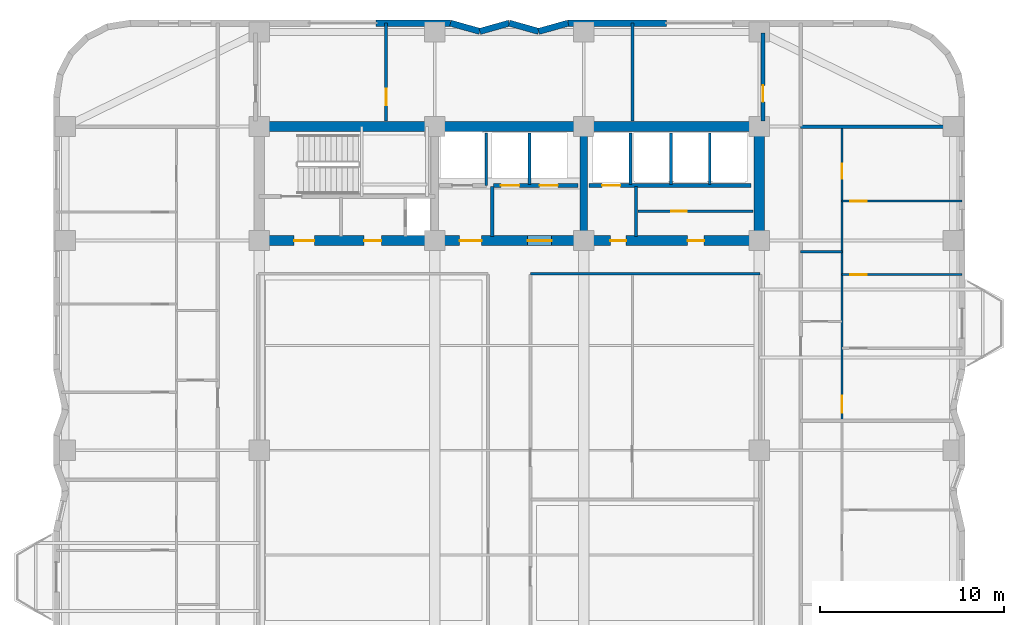
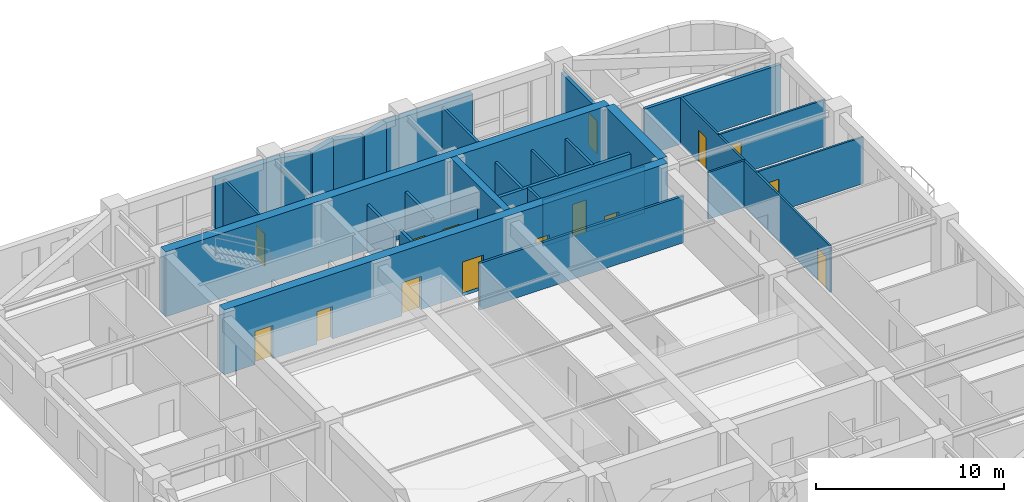
# One storey, part 11 of 15: 29 walls, 16 doors, 16 openings.
"""IFC4 building model written with IfcOpenShell, lengths in metres."""

from ifc_helpers import new_model, si_unit, direction, frame, frame_2d, origin, place, context, subcontext, project, spatial, rectangle, extrude, material, layer, layer_set, type_object, element, fill, save


model = new_model("IFC4")

# Units and contexts
model_context = context("Model", 3, precision=1e-05, world=origin(), true_north=direction((0.0, 1.0)))
body_context = subcontext(model_context, "Body", "Model", "MODEL_VIEW")
ifc_project = project(units=[si_unit("LENGTHUNIT", "METRE"), si_unit("AREAUNIT", "SQUARE_METRE"), si_unit("VOLUMEUNIT", "CUBIC_METRE"), si_unit("PLANEANGLEUNIT", "RADIAN"), si_unit("MASSUNIT", "GRAM", prefix="KILO")], contexts=[model_context])

# Site, building, storey
site_placement = place(None, origin())
site = spatial("IfcSite", under=ifc_project, at=site_placement, CompositionType="ELEMENT")
building_placement = place(site_placement, origin())
building = spatial("IfcBuilding", under=site, at=building_placement, Name="Svetorya Sky Lyceum", CompositionType="ELEMENT")
storey_placement = place(building_placement, frame((0.0, 0.0, 84.10009765625)))
storey = spatial("IfcBuildingStorey", under=building, at=storey_placement, Name="L20", CompositionType="ELEMENT", Elevation=84.10009765625)

# Walls
ifc_material_1 = material(Name="Concrete C40/50", Category="concrete")
ifc_layer_1 = layer(ifc_material_1, 0.39990234375)
ifc_layer_set_1 = layer_set([ifc_layer_1], Name="Concrete C40/50")
wall_type_1 = type_object("IfcWallType", Name="WL-CORE-400", PredefinedType="SHEAR", material=ifc_layer_set_1)
wall_1_placement = place(storey_placement, frame((43.25, 39.875, 0.0), z_axis=(0.0, 0.0, 1.0), x_axis=(0.0, 1.0, 0.0)))
element("IfcWall", 1, at=wall_1_placement, inside=storey, type_object=wall_type_1, Name="L20 NC Internal Shear Web WEB2", PredefinedType="SHEAR", context=body_context, shape_type="SweptSolid", body=[
    extrude(rectangle(XDim=5.64990234375, YDim=0.39990234375, at=frame_2d((2.824951171875, 0.0))), origin(), (0.0, 0.0, 1.0), 4.199951171875),
])
ifc_material_2 = material(Name="Concrete C60/75", Category="concrete")
ifc_layer_2 = layer(ifc_material_2, 0.550048828125)
ifc_layer_set_2 = layer_set([ifc_layer_2], Name="Concrete C60/75")
wall_type_2 = type_object("IfcWallType", Name="WL-CORE-550", PredefinedType="SHEAR", material=ifc_layer_set_2)
wall_2_placement = place(storey_placement, frame((25.60009765625, 45.800048828125, 0.0), z_axis=(0.0, 0.0, 1.0), x_axis=(1.0, 0.0, 0.0)))
element("IfcWall", 2, at=wall_2_placement, inside=storey, type_object=wall_type_2, Name="L20 NC Outer Core Shear Wall", PredefinedType="SHEAR", context=body_context, shape_type="SweptSolid", body=[
    extrude(rectangle(XDim=27.199951171875, YDim=0.550048828125, at=frame_2d((13.60009765625, 0.0))), origin(), (0.0, 0.0, 1.0), 4.199951171875),
])
wall_3_placement = place(storey_placement, frame((52.800048828125, 39.875, 0.0), z_axis=(0.0, 0.0, 1.0), x_axis=(0.0, 1.0, 0.0)))
element("IfcWall", 3, at=wall_3_placement, inside=storey, type_object=wall_type_2, Name="L20 NC East Core Shear Wall", PredefinedType="SHEAR", context=body_context, shape_type="SweptSolid", body=[
    extrude(rectangle(XDim=5.64990234375, YDim=0.550048828125, at=frame_2d((2.824951171875, 0.0))), origin(), (0.0, 0.0, 1.0), 4.199951171875),
])

# Wall, openings, doors
wall_4_placement = place(storey_placement, frame((52.800048828125, 39.60009765625, 0.0), z_axis=(0.0, 0.0, 1.0), x_axis=(-1.0, 0.0, 0.0)))
wall_4 = element("IfcWall", 4, at=wall_4_placement, inside=storey, type_object=wall_type_2, Name="L20 NC Inner Core Shear Wall", PredefinedType="SHEAR", context=body_context, shape_type="SweptSolid", body=[
    extrude(rectangle(XDim=27.199951171875, YDim=0.550048828125, at=frame_2d((13.60009765625, 0.0))), origin(), (0.0, 0.0, 1.0), 4.199951171875),
])
opening_1_placement = place(wall_4_placement, frame((24.199951171875, 0.0, 0.0)))
opening_1 = element("IfcOpeningElement", 5, at=opening_1_placement, cuts=wall_4, Name="Opening D-ST1", PredefinedType="OPENING", context=body_context, shape_type="SweptSolid", body=[
    extrude(rectangle(XDim=1.10009765625, YDim=2.14990234375, at=frame_2d((0.550048828125, 1.074951171875))), frame((0.0, 0.284912109375, 0.0), z_axis=(0.0, -1.0, 0.0), x_axis=(1.0, 0.0, 0.0)), (0.0, 0.0, 1.0), 0.570068359375),
])
opening_2_placement = place(wall_4_placement, frame((20.550048828125, 0.0, 0.0)))
opening_2 = element("IfcOpeningElement", 6, at=opening_2_placement, cuts=wall_4, Name="Opening D-CAC1", PredefinedType="OPENING", context=body_context, shape_type="SweptSolid", body=[
    extrude(rectangle(XDim=0.949951171875, YDim=2.10009765625, at=frame_2d((0.47509765625, 1.050048828125))), frame((0.0, 0.284912109375, 0.0), z_axis=(0.0, -1.0, 0.0), x_axis=(1.0, 0.0, 0.0)), (0.0, 0.0, 1.0), 0.570068359375),
])
opening_3_placement = place(wall_4_placement, frame((15.10009765625, 0.0, 0.0)))
opening_3 = element("IfcOpeningElement", 7, at=opening_3_placement, cuts=wall_4, Name="Opening D-FL1", PredefinedType="OPENING", context=body_context, shape_type="SweptSolid", body=[
    extrude(rectangle(XDim=1.199951171875, YDim=2.14990234375, at=frame_2d((0.60009765625, 1.074951171875))), frame((0.0, 0.284912109375, 0.0), z_axis=(0.0, -1.0, 0.0), x_axis=(1.0, 0.0, 0.0)), (0.0, 0.0, 1.0), 0.570068359375),
])
opening_4_placement = place(wall_4_placement, frame((11.300048828125, 0.0, 0.0)))
opening_4 = element("IfcOpeningElement", 8, at=opening_4_placement, cuts=wall_4, Name="Opening D-LB1", PredefinedType="OPENING", context=body_context, shape_type="SweptSolid", body=[
    extrude(rectangle(XDim=1.300048828125, YDim=2.199951171875, at=frame_2d((0.64990234375, 1.10009765625))), frame((0.0, 0.284912109375, 0.0), z_axis=(0.0, -1.0, 0.0), x_axis=(1.0, 0.0, 0.0)), (0.0, 0.0, 1.0), 0.570068359375),
])
opening_5_placement = place(wall_4_placement, frame((7.25, 0.0, 0.0)))
opening_5 = element("IfcOpeningElement", 9, at=opening_5_placement, cuts=wall_4, Name="Opening D-CWC1", PredefinedType="OPENING", context=body_context, shape_type="SweptSolid", body=[
    extrude(rectangle(XDim=0.85009765625, YDim=2.10009765625, at=frame_2d((0.425048828125, 1.050048828125))), frame((0.0, 0.284912109375, 0.0), z_axis=(0.0, -1.0, 0.0), x_axis=(1.0, 0.0, 0.0)), (0.0, 0.0, 1.0), 0.570068359375),
])
opening_6_placement = place(wall_4_placement, frame((3.0, 0.0, 0.0)))
opening_6 = element("IfcOpeningElement", 10, at=opening_6_placement, cuts=wall_4, Name="Opening D-RM1", PredefinedType="OPENING", context=body_context, shape_type="SweptSolid", body=[
    extrude(rectangle(XDim=0.89990234375, YDim=2.10009765625, at=frame_2d((0.449951171875, 1.050048828125))), frame((0.0, 0.284912109375, 0.0), z_axis=(0.0, -1.0, 0.0), x_axis=(1.0, 0.0, 0.0)), (0.0, 0.0, 1.0), 0.570068359375),
])
ifc_material_3 = material(Name="Fire-rated galvanized steel core accessible WC door", Category="steel")
door_type_1 = type_object("IfcDoorType", Name="DR-CACC-950", OperationType="SINGLE_SWING_LEFT", PredefinedType="DOOR", material=ifc_material_3)
door_1_placement = place(opening_2_placement, origin())
door_1 = element("IfcDoor", 11, at=door_1_placement, inside=storey, type_object=door_type_1, Name="L20 North Core Accessible WC Door", OperationType="SINGLE_SWING_RIGHT", OverallHeight=2.10009765625, OverallWidth=0.949951171875, PredefinedType="DOOR", context=body_context, shape_type="SweptSolid", body=[
    extrude(rectangle(XDim=0.949951171875, YDim=2.10009765625, at=frame_2d((0.47509765625, 1.050048828125))), frame((0.0, 0.02490234375, 0.0), z_axis=(0.0, -1.0, 0.0), x_axis=(1.0, 0.0, 0.0)), (0.0, 0.0, 1.0), 0.050048828125),
])
fill(opening_2, door_1)
ifc_material_4 = material(Name="Fire-rated galvanized steel core service closet door", Category="steel")
door_type_2 = type_object("IfcDoorType", Name="DR-CWET-850", OperationType="SINGLE_SWING_LEFT", PredefinedType="DOOR", material=ifc_material_4)
door_2_placement = place(opening_5_placement, origin())
door_2 = element("IfcDoor", 12, at=door_2_placement, inside=storey, type_object=door_type_2, Name="L20 Mid-Rise Lift PM3 Lobby Door", OperationType="SINGLE_SWING_LEFT", OverallHeight=2.10009765625, OverallWidth=0.85009765625, PredefinedType="DOOR", context=body_context, shape_type="SweptSolid", body=[
    extrude(rectangle(XDim=0.85009765625, YDim=2.10009765625, at=frame_2d((0.425048828125, 1.050048828125))), frame((0.0, 0.02490234375, 0.0), z_axis=(0.0, -1.0, 0.0), x_axis=(1.0, 0.0, 0.0)), (0.0, 0.0, 1.0), 0.050048828125),
])
fill(opening_5, door_2)
ifc_material_5 = material(Name="Powder-coated insulated galvanized stair fire door")
door_type_3 = type_object("IfcDoorType", Name="DR-FIRE-1100", OperationType="SINGLE_SWING_LEFT", PredefinedType="DOOR", material=ifc_material_5)
door_3_placement = place(opening_1_placement, origin())
door_3 = element("IfcDoor", 13, at=door_3_placement, inside=storey, type_object=door_type_3, Name="L20 North Stair Airlock Door", OperationType="SINGLE_SWING_LEFT", OverallHeight=2.14990234375, OverallWidth=1.10009765625, PredefinedType="DOOR", context=body_context, shape_type="SweptSolid", body=[
    extrude(rectangle(XDim=1.10009765625, YDim=2.14990234375, at=frame_2d((0.550048828125, 1.074951171875))), frame((0.0, 0.02490234375, 0.0), z_axis=(0.0, -1.0, 0.0), x_axis=(1.0, 0.0, 0.0)), (0.0, 0.0, 1.0), 0.050048828125),
])
fill(opening_1, door_3)
ifc_material_6 = material(Name="Powder-coated insulated galvanized fire door")
door_type_4 = type_object("IfcDoorType", Name="DR-FIRE-1200", OperationType="SINGLE_SWING_LEFT", PredefinedType="DOOR", material=ifc_material_6)
door_4_placement = place(opening_3_placement, origin())
door_4 = element("IfcDoor", 14, at=door_4_placement, inside=storey, type_object=door_type_4, Name="L20 North Firefighting Lift Lobby Door", OperationType="SINGLE_SWING_RIGHT", OverallHeight=2.14990234375, OverallWidth=1.199951171875, PredefinedType="DOOR", context=body_context, shape_type="SweptSolid", body=[
    extrude(rectangle(XDim=1.199951171875, YDim=2.14990234375, at=frame_2d((0.60009765625, 1.074951171875))), frame((0.0, 0.02490234375, 0.0), z_axis=(0.0, -1.0, 0.0), x_axis=(1.0, 0.0, 0.0)), (0.0, 0.0, 1.0), 0.050048828125),
])
fill(opening_3, door_4)
ifc_material_7 = material(Name="Lacquered birch veneer internal door")
door_type_5 = type_object("IfcDoorType", Name="DR-INT-900", OperationType="SINGLE_SWING_LEFT", PredefinedType="DOOR", material=ifc_material_7)
door_5_placement = place(opening_6_placement, origin())
door_5 = element("IfcDoor", 15, at=door_5_placement, inside=storey, type_object=door_type_5, Name="L20 Mid-Rise Pantry Door", OperationType="SINGLE_SWING_LEFT", OverallHeight=2.10009765625, OverallWidth=0.89990234375, PredefinedType="DOOR", context=body_context, shape_type="SweptSolid", body=[
    extrude(rectangle(XDim=0.89990234375, YDim=2.10009765625, at=frame_2d((0.449951171875, 1.050048828125))), frame((0.0, 0.02490234375, 0.0), z_axis=(0.0, -1.0, 0.0), x_axis=(1.0, 0.0, 0.0)), (0.0, 0.0, 1.0), 0.050048828125),
])
fill(opening_6, door_5)
ifc_material_8 = material(Name="Glazed fire-rated aluminium lobby door", Category="aluminium")
door_type_6 = type_object("IfcDoorType", Name="DR-LOB-1300", OperationType="SINGLE_SWING_LEFT", PredefinedType="DOOR", material=ifc_material_8)
door_6_placement = place(opening_4_placement, origin())
door_6 = element("IfcDoor", 16, at=door_6_placement, inside=storey, type_object=door_type_6, Name="L20 Mid-Rise Lift Lobby West Door", OperationType="SINGLE_SWING_LEFT", OverallHeight=2.199951171875, OverallWidth=1.300048828125, PredefinedType="DOOR", context=body_context, shape_type="SweptSolid", body=[
    extrude(rectangle(XDim=1.300048828125, YDim=2.199951171875, at=frame_2d((0.64990234375, 1.10009765625))), frame((0.0, 0.02490234375, 0.0), z_axis=(0.0, -1.0, 0.0), x_axis=(1.0, 0.0, 0.0)), (0.0, 0.0, 1.0), 0.050048828125),
])
fill(opening_4, door_6)

# Walls
ifc_material_9 = material(Name="Putilovo limestone rainscreen on autoclaved cellular masonry", Category="masonry")
ifc_layer_3 = layer(ifc_material_9, 0.340087890625)
ifc_layer_set_3 = layer_set([ifc_layer_3], Name="Putilovo limestone rainscreen on autoclaved cellular masonry")
wall_type_3 = type_object("IfcWallType", Name="WL-EXT-340", PredefinedType="SOLIDWALL", material=ifc_layer_set_3)
wall_5_placement = place(storey_placement, frame((47.75, 51.429931640625, 0.0), z_axis=(0.0, 0.0, 1.0), x_axis=(-1.0, 0.0, 0.0)))
element("IfcWall", 17, at=wall_5_placement, inside=storey, type_object=wall_type_3, Name="L20 Limestone Exterior Wall 29B", PredefinedType="SOLIDWALL", context=body_context, shape_type="SweptSolid", body=[
    extrude(rectangle(XDim=5.35009765625, YDim=0.340087890625, at=frame_2d((2.675048828125, 0.0))), origin(), (0.0, 0.0, 1.0), 3.199951171875),
])
wall_6_placement = place(storey_placement, frame((42.39990234375, 51.429931640625, 0.0), z_axis=(0.0, 0.0, 1.0), x_axis=(-0.962652136636, -0.270741322725, 0.0)))
element("IfcWall", 18, at=wall_6_placement, inside=storey, type_object=wall_type_3, Name="L20 Limestone Exterior Wall 30M", PredefinedType="SOLIDWALL", context=body_context, shape_type="SweptSolid", body=[
    extrude(rectangle(XDim=1.661865234375, YDim=0.340087890625, at=frame_2d((0.8310546875, 0.0))), origin(), (0.0, 0.0, 1.0), 3.199951171875),
])
wall_7_placement = place(storey_placement, frame((40.800048828125, 50.97998046875, 0.0), z_axis=(0.0, 0.0, 1.0), x_axis=(-0.962662902433, 0.270703040766, 0.0)))
element("IfcWall", 19, at=wall_7_placement, inside=storey, type_object=wall_type_3, Name="L20 Limestone Exterior Wall 31M", PredefinedType="SOLIDWALL", context=body_context, shape_type="SweptSolid", body=[
    extrude(rectangle(XDim=1.662109375, YDim=0.340087890625, at=frame_2d((0.8310546875, 0.0))), origin(), (0.0, 0.0, 1.0), 3.199951171875),
])
wall_8_placement = place(storey_placement, frame((39.199951171875, 51.429931640625, 0.0), z_axis=(0.0, 0.0, 1.0), x_axis=(-0.962652136636, -0.270741322725, 0.0)))
element("IfcWall", 20, at=wall_8_placement, inside=storey, type_object=wall_type_3, Name="L20 Limestone Exterior Wall 32M", PredefinedType="SOLIDWALL", context=body_context, shape_type="SweptSolid", body=[
    extrude(rectangle(XDim=1.661865234375, YDim=0.340087890625, at=frame_2d((0.8310546875, 0.0))), origin(), (0.0, 0.0, 1.0), 3.199951171875),
])
wall_9_placement = place(storey_placement, frame((37.60009765625, 50.97998046875, 0.0), z_axis=(0.0, 0.0, 1.0), x_axis=(-0.962662902433, 0.270703040766, 0.0)))
element("IfcWall", 21, at=wall_9_placement, inside=storey, type_object=wall_type_3, Name="L20 Limestone Exterior Wall 33M", PredefinedType="SOLIDWALL", context=body_context, shape_type="SweptSolid", body=[
    extrude(rectangle(XDim=1.662109375, YDim=0.340087890625, at=frame_2d((0.8310546875, 0.0))), origin(), (0.0, 0.0, 1.0), 3.199951171875),
])
wall_10_placement = place(storey_placement, frame((36.0, 51.429931640625, 0.0), z_axis=(0.0, 0.0, 1.0), x_axis=(-1.0, 0.0, 0.0)))
element("IfcWall", 22, at=wall_10_placement, inside=storey, type_object=wall_type_3, Name="L20 Limestone Exterior Wall 34A", PredefinedType="SOLIDWALL", context=body_context, shape_type="SweptSolid", body=[
    extrude(rectangle(XDim=4.050048828125, YDim=0.340087890625, at=frame_2d((2.02490234375, 0.0))), origin(), (0.0, 0.0, 1.0), 3.199951171875),
])

# Wall, opening, door
ifc_material_10 = material(Name="Twin-stud galvanized framing with double fireboard", Category="gypsum")
ifc_layer_4 = layer(ifc_material_10, 0.1201171875)
ifc_layer_set_4 = layer_set([ifc_layer_4], Name="Twin-stud galvanized framing with double fireboard")
wall_type_4 = type_object("IfcWallType", Name="WL-PART-120", PredefinedType="PARTITIONING", material=ifc_layer_set_4)
wall_11_placement = place(storey_placement, frame((46.199951171875, 41.199951171875, 0.0), z_axis=(0.0, 0.0, 1.0), x_axis=(1.0, 0.0, 0.0)))
wall_11 = element("IfcWall", 23, at=wall_11_placement, inside=storey, type_object=wall_type_4, Name="L20 Interior Partition NC-Z2EH", PredefinedType="PARTITIONING", context=body_context, shape_type="SweptSolid", body=[
    extrude(rectangle(XDim=6.25, YDim=0.1201171875, at=frame_2d((3.125, 0.0))), origin(), (0.0, 0.0, 1.0), 3.02978515625),
])
opening_7_placement = place(wall_11_placement, frame((1.800048828125, 0.0, 0.0)))
opening_7 = element("IfcOpeningElement", 24, at=opening_7_placement, cuts=wall_11, Name="Opening D-CWC1", PredefinedType="OPENING", context=body_context, shape_type="SweptSolid", body=[
    extrude(rectangle(XDim=0.85009765625, YDim=2.10009765625, at=frame_2d((0.425048828125, 1.050048828125))), frame((0.0, 0.070068359375, 0.0), z_axis=(0.0, -1.0, 0.0), x_axis=(1.0, 0.0, 0.0)), (0.0, 0.0, 1.0), 0.14013671875),
])
door_7_placement = place(opening_7_placement, origin())
door_7 = element("IfcDoor", 25, at=door_7_placement, inside=storey, type_object=door_type_2, Name="L20 Rear Mid-Rise Store Door", OperationType="SINGLE_SWING_LEFT", OverallHeight=2.10009765625, OverallWidth=0.85009765625, PredefinedType="DOOR", context=body_context, shape_type="SweptSolid", body=[
    extrude(rectangle(XDim=0.85009765625, YDim=2.10009765625, at=frame_2d((0.425048828125, 1.050048828125))), frame((0.0, 0.02490234375, 0.0), z_axis=(0.0, -1.0, 0.0), x_axis=(1.0, 0.0, 0.0)), (0.0, 0.0, 1.0), 0.050048828125),
])
fill(opening_7, door_7)

# Wall
wall_12_placement = place(storey_placement, frame((55.050048828125, 39.0, 0.0), z_axis=(0.0, 0.0, 1.0), x_axis=(1.0, 0.0, 0.0)))
element("IfcWall", 26, at=wall_12_placement, inside=storey, type_object=wall_type_4, Name="L20 Interior Partition E2-WH2", PredefinedType="PARTITIONING", context=body_context, shape_type="SweptSolid", body=[
    extrude(rectangle(XDim=2.25, YDim=0.1201171875, at=frame_2d((1.125, 0.0))), origin(), (0.0, 0.0, 1.0), 3.02978515625),
])

# Wall, opening, door
wall_13_placement = place(storey_placement, frame((57.300048828125, 37.75, 0.0), z_axis=(0.0, 0.0, 1.0), x_axis=(1.0, 0.0, 0.0)))
wall_13 = element("IfcWall", 27, at=wall_13_placement, inside=storey, type_object=wall_type_4, Name="L20 Interior Partition E2-WL2", PredefinedType="PARTITIONING", context=body_context, shape_type="SweptSolid", body=[
    extrude(rectangle(XDim=6.530029296875, YDim=0.1201171875, at=frame_2d((3.26513671875, 0.0))), origin(), (0.0, 0.0, 1.0), 3.02978515625),
])
opening_8_placement = place(wall_13_placement, frame((0.449951171875, 0.0, 0.0)))
opening_8 = element("IfcOpeningElement", 28, at=opening_8_placement, cuts=wall_13, Name="Opening D-RM1", PredefinedType="OPENING", context=body_context, shape_type="SweptSolid", body=[
    extrude(rectangle(XDim=0.89990234375, YDim=2.10009765625, at=frame_2d((0.449951171875, 1.050048828125))), frame((0.0, 0.070068359375, 0.0), z_axis=(0.0, -1.0, 0.0), x_axis=(1.0, 0.0, 0.0)), (0.0, 0.0, 1.0), 0.14013671875),
])
door_8_placement = place(opening_8_placement, origin())
door_8 = element("IfcDoor", 29, at=door_8_placement, inside=storey, type_object=door_type_5, Name="Apartment E2 Bedroom 2 Door", OperationType="SINGLE_SWING_RIGHT", OverallHeight=2.10009765625, OverallWidth=0.89990234375, PredefinedType="DOOR", context=body_context, shape_type="SweptSolid", body=[
    extrude(rectangle(XDim=0.89990234375, YDim=2.10009765625, at=frame_2d((0.449951171875, 1.050048828125))), frame((0.0, 0.02490234375, 0.0), z_axis=(0.0, -1.0, 0.0), x_axis=(1.0, 0.0, 0.0)), (0.0, 0.0, 1.0), 0.050048828125),
])
fill(opening_8, door_8)

wall_14_placement = place(storey_placement, frame((57.300048828125, 41.75, 0.0), z_axis=(0.0, 0.0, 1.0), x_axis=(1.0, 0.0, 0.0)))
wall_14 = element("IfcWall", 30, at=wall_14_placement, inside=storey, type_object=wall_type_4, Name="L20 Interior Partition E2-WL3", PredefinedType="PARTITIONING", context=body_context, shape_type="SweptSolid", body=[
    extrude(rectangle(XDim=6.530029296875, YDim=0.1201171875, at=frame_2d((3.26513671875, 0.0))), origin(), (0.0, 0.0, 1.0), 3.02978515625),
])
opening_9_placement = place(wall_14_placement, frame((0.449951171875, 0.0, 0.0)))
opening_9 = element("IfcOpeningElement", 31, at=opening_9_placement, cuts=wall_14, Name="Opening D-RM1", PredefinedType="OPENING", context=body_context, shape_type="SweptSolid", body=[
    extrude(rectangle(XDim=0.89990234375, YDim=2.10009765625, at=frame_2d((0.449951171875, 1.050048828125))), frame((0.0, 0.070068359375, 0.0), z_axis=(0.0, -1.0, 0.0), x_axis=(1.0, 0.0, 0.0)), (0.0, 0.0, 1.0), 0.14013671875),
])
door_9_placement = place(opening_9_placement, origin())
door_9 = element("IfcDoor", 32, at=door_9_placement, inside=storey, type_object=door_type_5, Name="Apartment E2 Bedroom 3 Door", OperationType="SINGLE_SWING_LEFT", OverallHeight=2.10009765625, OverallWidth=0.89990234375, PredefinedType="DOOR", context=body_context, shape_type="SweptSolid", body=[
    extrude(rectangle(XDim=0.89990234375, YDim=2.10009765625, at=frame_2d((0.449951171875, 1.050048828125))), frame((0.0, 0.02490234375, 0.0), z_axis=(0.0, -1.0, 0.0), x_axis=(1.0, 0.0, 0.0)), (0.0, 0.0, 1.0), 0.050048828125),
])
fill(opening_9, door_9)

# Wall, openings, doors
wall_15_placement = place(storey_placement, frame((57.300048828125, 29.840087890625, 0.0), z_axis=(0.0, 0.0, 1.0), x_axis=(0.0, 1.0, 0.0)))
wall_15 = element("IfcWall", 33, at=wall_15_placement, inside=storey, type_object=wall_type_4, Name="L20 Interior Partition E2-WV", PredefinedType="PARTITIONING", context=body_context, shape_type="SweptSolid", body=[
    extrude(rectangle(XDim=15.919921875, YDim=0.1201171875, at=frame_2d((7.9599609375, 0.0))), origin(), (0.0, 0.0, 1.0), 3.02978515625),
])
opening_10_placement = place(wall_15_placement, frame((0.409912109375, 0.0, 0.0)))
opening_10 = element("IfcOpeningElement", 34, at=opening_10_placement, cuts=wall_15, Name="Opening D-RM1", PredefinedType="OPENING", context=body_context, shape_type="SweptSolid", body=[
    extrude(rectangle(XDim=0.89990234375, YDim=2.10009765625, at=frame_2d((0.449951171875, 1.050048828125))), frame((0.0, 0.070068359375, 0.0), z_axis=(0.0, -1.0, 0.0), x_axis=(1.0, 0.0, 0.0)), (0.0, 0.0, 1.0), 0.14013671875),
])
opening_11_placement = place(wall_15_placement, frame((13.125, 0.0, 0.0)))
opening_11 = element("IfcOpeningElement", 35, at=opening_11_placement, cuts=wall_15, Name="Opening D-BT2", PredefinedType="OPENING", context=body_context, shape_type="SweptSolid", body=[
    extrude(rectangle(XDim=0.820068359375, YDim=2.080078125, at=frame_2d((0.41015625, 1.0400390625))), frame((0.0, 0.070068359375, 0.0), z_axis=(0.0, -1.0, 0.0), x_axis=(1.0, 0.0, 0.0)), (0.0, 0.0, 1.0), 0.14013671875),
])
door_10_placement = place(opening_10_placement, origin())
door_10 = element("IfcDoor", 36, at=door_10_placement, inside=storey, type_object=door_type_5, Name="Apartment E2 Living Door", OperationType="SINGLE_SWING_RIGHT", OverallHeight=2.10009765625, OverallWidth=0.89990234375, PredefinedType="DOOR", context=body_context, shape_type="SweptSolid", body=[
    extrude(rectangle(XDim=0.89990234375, YDim=2.10009765625, at=frame_2d((0.449951171875, 1.050048828125))), frame((0.0, 0.02490234375, 0.0), z_axis=(0.0, -1.0, 0.0), x_axis=(1.0, 0.0, 0.0)), (0.0, 0.0, 1.0), 0.050048828125),
])
fill(opening_10, door_10)
ifc_material_11 = material(Name="Compact moisture-resistant laminate closet door")
door_type_7 = type_object("IfcDoorType", Name="DR-WET-820", OperationType="SINGLE_SWING_LEFT", PredefinedType="DOOR", material=ifc_material_11)
door_11_placement = place(opening_11_placement, origin())
door_11 = element("IfcDoor", 37, at=door_11_placement, inside=storey, type_object=door_type_7, Name="Apartment E2 Study Door", OperationType="SINGLE_SWING_LEFT", OverallHeight=2.080078125, OverallWidth=0.820068359375, PredefinedType="DOOR", context=body_context, shape_type="SweptSolid", body=[
    extrude(rectangle(XDim=0.820068359375, YDim=2.080078125, at=frame_2d((0.41015625, 1.0400390625))), frame((0.0, 0.02490234375, 0.0), z_axis=(0.0, -1.0, 0.0), x_axis=(1.0, 0.0, 0.0)), (0.0, 0.0, 1.0), 0.050048828125),
])
fill(opening_11, door_11)

# Walls
ifc_material_12 = material(Name="Autoclaved cellular masonry blockwork with acoustic render", Category="masonry")
ifc_layer_5 = layer(ifc_material_12, 0.14990234375)
ifc_layer_set_5 = layer_set([ifc_layer_5], Name="Autoclaved cellular masonry blockwork with acoustic render")
wall_type_5 = type_object("IfcWallType", Name="WL-PART-150", PredefinedType="PARTITIONING", material=ifc_layer_set_5)
wall_16_placement = place(storey_placement, frame((37.949951171875, 42.60009765625, 0.0), z_axis=(0.0, 0.0, 1.0), x_axis=(0.0, 1.0, 0.0)))
element("IfcWall", 38, at=wall_16_placement, inside=storey, type_object=wall_type_5, Name="L20 Interior Partition NC-FL1SIDE", PredefinedType="PARTITIONING", context=body_context, shape_type="SweptSolid", body=[
    extrude(rectangle(XDim=2.849853515625, YDim=0.14990234375, at=frame_2d((1.4248046875, 0.0))), origin(), (0.0, 0.0, 1.0), 3.02978515625),
])
for number, where, z_axis, x_axis, name in (
    (39, (40.300048828125, 42.64990234375, 0.0), (0.0, 0.0, 1.0), (0.0, 1.0, 0.0), "L20 Interior Partition NC-PM-D1"),
    (40, (45.800048828125, 42.64990234375, 0.0), (0.0, 0.0, 1.0), (0.0, 1.0, 0.0), "L20 Interior Partition NC-PM3-D"),
    (41, (48.0, 42.64990234375, 0.0), (0.0, 0.0, 1.0), (0.0, 1.0, 0.0), "L20 Interior Partition NC-PH-D1"),
    (42, (50.10009765625, 42.64990234375, 0.0), (0.0, 0.0, 1.0), (0.0, 1.0, 0.0), "L20 Interior Partition NC-PH-D2"),
):
    element("IfcWall", number, at=place(storey_placement, frame(where, z_axis=z_axis, x_axis=x_axis)), inside=storey, type_object=wall_type_5, Name=name, PredefinedType="PARTITIONING", context=body_context, shape_type="SweptSolid", body=[
        extrude(rectangle(XDim=2.800048828125, YDim=0.14990234375, at=frame_2d((1.39990234375, 0.0))), origin(), (0.0, 0.0, 1.0), 3.02978515625),
    ])
wall_17_placement = place(storey_placement, frame((46.10009765625, 39.820068359375, 0.0), z_axis=(0.0, 0.0, 1.0), x_axis=(0.0, 1.0, 0.0)))
element("IfcWall", 43, at=wall_17_placement, inside=storey, type_object=wall_type_5, Name="L20 Interior Partition NC-PM3SEP", PredefinedType="PARTITIONING", context=body_context, shape_type="SweptSolid", body=[
    extrude(rectangle(XDim=2.72998046875, YDim=0.14990234375, at=frame_2d((1.364990234375, 0.0))), origin(), (0.0, 0.0, 1.0), 3.02978515625),
])
wall_18_placement = place(storey_placement, frame((40.35009765625, 37.800048828125, 0.0), z_axis=(0.0, 0.0, 1.0), x_axis=(1.0, 0.0, 0.0)))
element("IfcWall", 44, at=wall_18_placement, inside=storey, type_object=wall_type_5, Name="L20 Interior Partition CN-MID-E", PredefinedType="PARTITIONING", context=body_context, shape_type="SweptSolid", body=[
    extrude(rectangle(XDim=12.5, YDim=0.14990234375, at=frame_2d((6.25, 0.0))), origin(), (0.0, 0.0, 1.0), 3.02978515625),
])

# Wall, opening, door
wall_19_placement = place(storey_placement, frame((32.5, 46.10009765625, 0.0), z_axis=(0.0, 0.0, 1.0), x_axis=(0.0, 1.0, 0.0)))
wall_19 = element("IfcWall", 45, at=wall_19_placement, inside=storey, type_object=wall_type_5, Name="L20 Interior Partition N-D1", PredefinedType="PARTITIONING", context=body_context, shape_type="SweptSolid", body=[
    extrude(rectangle(XDim=5.329833984375, YDim=0.14990234375, at=frame_2d((2.6650390625, 0.0))), origin(), (0.0, 0.0, 1.0), 3.02978515625),
])
opening_12_placement = place(wall_19_placement, frame((0.85009765625, 0.0, 0.0)))
opening_12 = element("IfcOpeningElement", 46, at=opening_12_placement, cuts=wall_19, Name="Opening D-RM1", PredefinedType="OPENING", context=body_context, shape_type="SweptSolid", body=[
    extrude(rectangle(XDim=0.89990234375, YDim=2.10009765625, at=frame_2d((0.449951171875, 1.050048828125))), frame((0.0, 0.0849609375, 0.0), z_axis=(0.0, -1.0, 0.0), x_axis=(1.0, 0.0, 0.0)), (0.0, 0.0, 1.0), 0.169921875),
])
door_12_placement = place(opening_12_placement, origin())
door_12 = element("IfcDoor", 47, at=door_12_placement, inside=storey, type_object=door_type_5, Name="L20 North Store Door", OperationType="SINGLE_SWING_RIGHT", OverallHeight=2.10009765625, OverallWidth=0.89990234375, PredefinedType="DOOR", context=body_context, shape_type="SweptSolid", body=[
    extrude(rectangle(XDim=0.89990234375, YDim=2.10009765625, at=frame_2d((0.449951171875, 1.050048828125))), frame((0.0, 0.02490234375, 0.0), z_axis=(0.0, -1.0, 0.0), x_axis=(1.0, 0.0, 0.0)), (0.0, 0.0, 1.0), 0.050048828125),
])
fill(opening_12, door_12)

# Walls
wall_20_placement = place(storey_placement, frame((45.89990234375, 46.10009765625, 0.0), z_axis=(0.0, 0.0, 1.0), x_axis=(0.0, 1.0, 0.0)))
element("IfcWall", 48, at=wall_20_placement, inside=storey, type_object=wall_type_5, Name="L20 Interior Partition N-D2", PredefinedType="PARTITIONING", context=body_context, shape_type="SweptSolid", body=[
    extrude(rectangle(XDim=5.329833984375, YDim=0.14990234375, at=frame_2d((2.6650390625, 0.0))), origin(), (0.0, 0.0, 1.0), 3.02978515625),
])
ifc_material_13 = material(Name="Autoclaved cellular masonry blockwork with gypsum plaster", Category="masonry")
ifc_layer_6 = layer(ifc_material_13, 0.199951171875)
ifc_layer_set_6 = layer_set([ifc_layer_6], Name="Autoclaved cellular masonry blockwork with gypsum plaster")
wall_type_6 = type_object("IfcWallType", Name="WL-PART-200", PredefinedType="PARTITIONING", material=ifc_layer_set_6)
wall_21_placement = place(storey_placement, frame((38.280029296875, 39.820068359375, 0.0), z_axis=(0.0, 0.0, 1.0), x_axis=(0.0, 1.0, 0.0)))
element("IfcWall", 49, at=wall_21_placement, inside=storey, type_object=wall_type_6, Name="L20 Interior Partition NC-FFLDIV", PredefinedType="PARTITIONING", context=body_context, shape_type="SweptSolid", body=[
    extrude(rectangle(XDim=2.72998046875, YDim=0.199951171875, at=frame_2d((1.364990234375, 0.0))), origin(), (0.0, 0.0, 1.0), 3.02978515625),
])

# Wall, openings, doors
wall_22_placement = place(storey_placement, frame((42.949951171875, 42.60009765625, 0.0), z_axis=(0.0, 0.0, 1.0), x_axis=(-1.0, 0.0, 0.0)))
wall_22 = element("IfcWall", 50, at=wall_22_placement, inside=storey, type_object=wall_type_6, Name="L20 Interior Partition NC-PM12W", PredefinedType="PARTITIONING", context=body_context, shape_type="SweptSolid", body=[
    extrude(rectangle(XDim=4.599853515625, YDim=0.199951171875, at=frame_2d((2.2998046875, 0.0))), origin(), (0.0, 0.0, 1.0), 2.7998046875),
])
opening_13_placement = place(wall_22_placement, frame((3.199951171875, 0.0, 0.0)))
opening_13 = element("IfcOpeningElement", 51, at=opening_13_placement, cuts=wall_22, Name="Opening LD-P1", PredefinedType="OPENING", context=body_context, shape_type="SweptSolid", body=[
    extrude(rectangle(XDim=1.0, YDim=2.14990234375, at=frame_2d((0.5, 1.074951171875))), frame((0.0, 0.10986328125, 0.0), z_axis=(0.0, -1.0, 0.0), x_axis=(1.0, 0.0, 0.0)), (0.0, 0.0, 1.0), 0.219970703125),
])
opening_14_placement = place(wall_22_placement, frame((1.10009765625, 0.0, 0.0)))
opening_14 = element("IfcOpeningElement", 52, at=opening_14_placement, cuts=wall_22, Name="Opening LD-P1", PredefinedType="OPENING", context=body_context, shape_type="SweptSolid", body=[
    extrude(rectangle(XDim=1.0, YDim=2.14990234375, at=frame_2d((0.5, 1.074951171875))), frame((0.0, 0.10986328125, 0.0), z_axis=(0.0, -1.0, 0.0), x_axis=(1.0, 0.0, 0.0)), (0.0, 0.0, 1.0), 0.219970703125),
])
ifc_material_14 = material(Name="Champagne-anodized stainless passenger lift landing door")
door_type_8 = type_object("IfcDoorType", Name="DR-LIFT-1000", OperationType="SLIDING_TO_LEFT", PredefinedType="DOOR", material=ifc_material_14)
door_13_placement = place(opening_13_placement, origin())
door_13 = element("IfcDoor", 53, at=door_13_placement, inside=storey, type_object=door_type_8, Name="L20 Passenger Lift PM1 Landing Door", OperationType="SLIDING_TO_LEFT", OverallHeight=2.14990234375, OverallWidth=1.0, PredefinedType="DOOR", context=body_context, shape_type="SweptSolid", body=[
    extrude(rectangle(XDim=1.0, YDim=2.14990234375, at=frame_2d((0.5, 1.074951171875))), frame((0.0, 0.02490234375, 0.0), z_axis=(0.0, -1.0, 0.0), x_axis=(1.0, 0.0, 0.0)), (0.0, 0.0, 1.0), 0.050048828125),
])
fill(opening_13, door_13)
door_14_placement = place(opening_14_placement, origin())
door_14 = element("IfcDoor", 54, at=door_14_placement, inside=storey, type_object=door_type_8, Name="L20 Passenger Lift PM2 Landing Door", OperationType="SLIDING_TO_LEFT", OverallHeight=2.14990234375, OverallWidth=1.0, PredefinedType="DOOR", context=body_context, shape_type="SweptSolid", body=[
    extrude(rectangle(XDim=1.0, YDim=2.14990234375, at=frame_2d((0.5, 1.074951171875))), frame((0.0, 0.02490234375, 0.0), z_axis=(0.0, -1.0, 0.0), x_axis=(1.0, 0.0, 0.0)), (0.0, 0.0, 1.0), 0.050048828125),
])
fill(opening_14, door_14)

# Wall, opening, door
wall_23_placement = place(storey_placement, frame((52.35009765625, 42.60009765625, 0.0), z_axis=(0.0, 0.0, 1.0), x_axis=(-1.0, 0.0, 0.0)))
wall_23 = element("IfcWall", 55, at=wall_23_placement, inside=storey, type_object=wall_type_6, Name="L20 Interior Partition NC-PHEW", PredefinedType="PARTITIONING", context=body_context, shape_type="SweptSolid", body=[
    extrude(rectangle(XDim=8.800048828125, YDim=0.199951171875, at=frame_2d((4.39990234375, 0.0))), origin(), (0.0, 0.0, 1.0), 3.02978515625),
])
opening_15_placement = place(wall_23_placement, frame((7.10009765625, 0.0, 0.0)))
opening_15 = element("IfcOpeningElement", 56, at=opening_15_placement, cuts=wall_23, Name="Opening LD-P1", PredefinedType="OPENING", context=body_context, shape_type="SweptSolid", body=[
    extrude(rectangle(XDim=1.0, YDim=2.14990234375, at=frame_2d((0.5, 1.074951171875))), frame((0.0, 0.10986328125, 0.0), z_axis=(0.0, -1.0, 0.0), x_axis=(1.0, 0.0, 0.0)), (0.0, 0.0, 1.0), 0.219970703125),
])
door_15_placement = place(opening_15_placement, origin())
door_15 = element("IfcDoor", 57, at=door_15_placement, inside=storey, type_object=door_type_8, Name="L20 Passenger Lift PM3 Landing Door", OperationType="SLIDING_TO_LEFT", OverallHeight=2.14990234375, OverallWidth=1.0, PredefinedType="DOOR", context=body_context, shape_type="SweptSolid", body=[
    extrude(rectangle(XDim=1.0, YDim=2.14990234375, at=frame_2d((0.5, 1.074951171875))), frame((0.0, 0.02490234375, 0.0), z_axis=(0.0, -1.0, 0.0), x_axis=(1.0, 0.0, 0.0)), (0.0, 0.0, 1.0), 0.050048828125),
])
fill(opening_15, door_15)

# Wall
wall_24_placement = place(storey_placement, frame((55.050048828125, 45.800048828125, 0.0), z_axis=(0.0, 0.0, 1.0), x_axis=(1.0, 0.0, 0.0)))
element("IfcWall", 58, at=wall_24_placement, inside=storey, type_object=wall_type_6, Name="L20 Interior Partition E-CAP-N", PredefinedType="PARTITIONING", context=body_context, shape_type="SweptSolid", body=[
    extrude(rectangle(XDim=8.35986328125, YDim=0.199951171875, at=frame_2d((4.179931640625, 0.0))), origin(), (0.0, 0.0, 1.0), 3.02978515625),
])

# Wall, opening, door
wall_25_placement = place(storey_placement, frame((53.0, 46.10009765625, 0.0), z_axis=(0.0, 0.0, 1.0), x_axis=(0.0, 1.0, 0.0)))
wall_25 = element("IfcWall", 59, at=wall_25_placement, inside=storey, type_object=wall_type_6, Name="L20 Interior Partition N-EE", PredefinedType="PARTITIONING", context=body_context, shape_type="SweptSolid", body=[
    extrude(rectangle(XDim=4.77978515625, YDim=0.199951171875, at=frame_2d((2.389892578125, 0.0))), origin(), (0.0, 0.0, 1.0), 3.02978515625),
])
opening_16_placement = place(wall_25_placement, frame((1.050048828125, 0.0, 0.0)))
opening_16 = element("IfcOpeningElement", 60, at=opening_16_placement, cuts=wall_25, Name="Opening D-RM1", PredefinedType="OPENING", context=body_context, shape_type="SweptSolid", body=[
    extrude(rectangle(XDim=0.89990234375, YDim=2.10009765625, at=frame_2d((0.449951171875, 1.050048828125))), frame((0.0, 0.10986328125, 0.0), z_axis=(0.0, -1.0, 0.0), x_axis=(1.0, 0.0, 0.0)), (0.0, 0.0, 1.0), 0.219970703125),
])
door_16_placement = place(opening_16_placement, origin())
door_16 = element("IfcDoor", 61, at=door_16_placement, inside=storey, type_object=door_type_5, Name="L20 North Meeting Door", OperationType="SINGLE_SWING_LEFT", OverallHeight=2.10009765625, OverallWidth=0.89990234375, PredefinedType="DOOR", context=body_context, shape_type="SweptSolid", body=[
    extrude(rectangle(XDim=0.89990234375, YDim=2.10009765625, at=frame_2d((0.449951171875, 1.050048828125))), frame((0.0, 0.02490234375, 0.0), z_axis=(0.0, -1.0, 0.0), x_axis=(1.0, 0.0, 0.0)), (0.0, 0.0, 1.0), 0.050048828125),
])
fill(opening_16, door_16)

save(model, "model.ifc")
